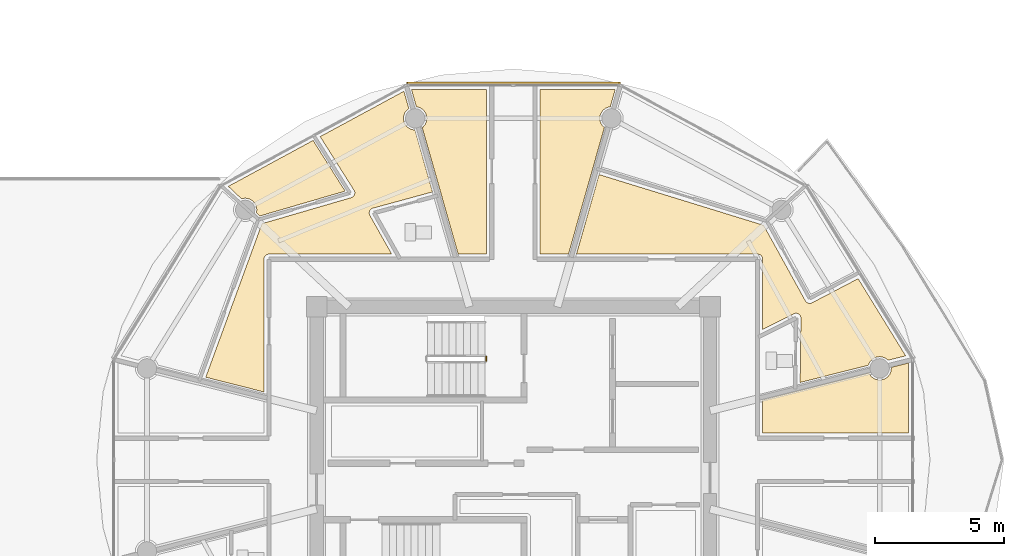
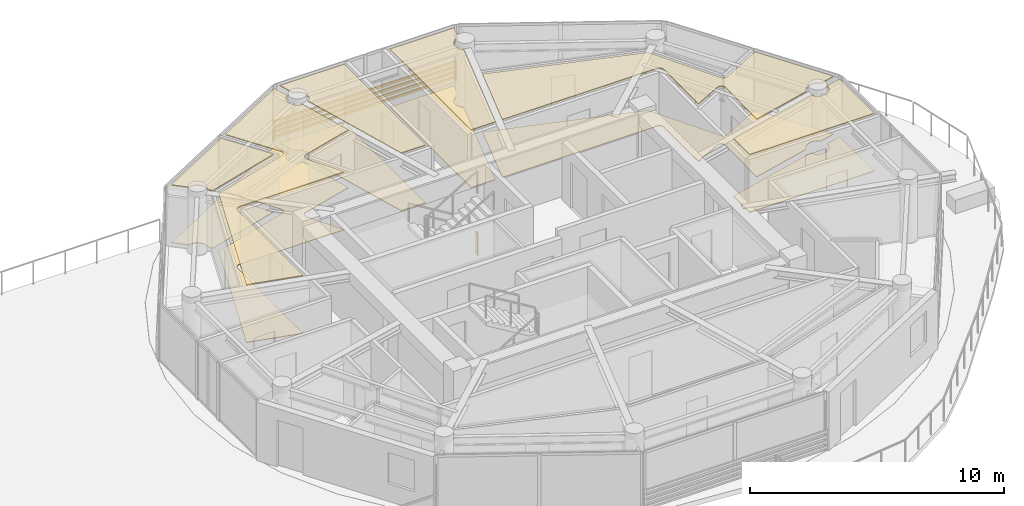
# One storey, part 27 of 30: 12 coverings, 1 railing, 1 shading device.
"""IFC4 building model written with IfcOpenShell, lengths in metres."""

from ifc_helpers import new_model, si_unit, direction, frame, origin, origin_2d, place, context, subcontext, project, spatial, polyline, rectangle, outline, extrude, source, transform, mapped, material, layer, layer_set, type_object, type_shapes, element, save


model = new_model("IFC4")

# Units and contexts
model_context = context("Model", 3, precision=1e-05, world=origin(), true_north=direction((0.0, 1.0)))
body_context = subcontext(model_context, "Body", "Model", "MODEL_VIEW")
ifc_project = project(units=[si_unit("LENGTHUNIT", "METRE"), si_unit("AREAUNIT", "SQUARE_METRE"), si_unit("VOLUMEUNIT", "CUBIC_METRE"), si_unit("PLANEANGLEUNIT", "RADIAN"), si_unit("MASSUNIT", "GRAM", prefix="KILO")], contexts=[model_context])

# Site, building, storey
site_placement = place(None, origin())
site = spatial("IfcSite", under=ifc_project, at=site_placement, CompositionType="ELEMENT")
building_placement = place(site_placement, origin())
building = spatial("IfcBuilding", under=site, at=building_placement, Name="Norrkilde Senior Care Towers", CompositionType="ELEMENT")
storey_placement = place(building_placement, frame((0.0, 0.0, 232.199951171875)))
storey = spatial("IfcBuildingStorey", under=building, at=storey_placement, Name="L72", CompositionType="ELEMENT", Elevation=232.199951171875)

# Coverings
ifc_material_1 = material(Name="Nordic Ash Timber", Category="wood")
ifc_layer_1 = layer(ifc_material_1, 0.044921875)
ifc_layer_set_1 = layer_set([ifc_layer_1], Name="Nordic Ash Timber")
covering_type_1 = type_object("IfcCoveringType", Name="Acoustic Ash Timber Slatted Ceiling 45", PredefinedType="CEILING", material=ifc_layer_set_1)
covering_1_placement = place(storey_placement, frame((0.0, 0.0, 2.76513671875)))
element("IfcCovering", 1, at=covering_1_placement, inside=storey, type_object=covering_type_1, Name="L72 Suspended Ceiling 0448", PredefinedType="CEILING", context=body_context, shape_type="SweptSolid", body=[
    extrude(outline(polyline([(26.9599609375, 14.407470703125), (26.9599609375, 8.0), (25.855224609375, 8.0), (24.458251953125, 12.924560546875), (24.504150390625, 12.959716796875), (24.576416015625, 13.053955078125), (24.621826171875, 13.163818359375), (24.637451171875, 13.281494140625), (24.621826171875, 13.399169921875), (24.576416015625, 13.509033203125), (24.504150390625, 13.603271484375), (24.409912109375, 13.675537109375), (24.30029296875, 13.720947265625), (24.229736328125, 13.730224609375), (24.03759765625, 14.407470703125), (26.9599609375, 14.407470703125)])), origin(), (0.0, 0.0, 1.0), 0.044921875),
])
covering_2_placement = place(storey_placement, frame((0.0, 0.0, 2.76513671875)))
element("IfcCovering", 2, at=covering_2_placement, inside=storey, type_object=covering_type_1, Name="L72 Suspended Ceiling 0449", PredefinedType="CEILING", context=body_context, shape_type="SweptSolid", body=[
    extrude(outline(polyline([(31.96240234375, 14.407470703125), (31.770263671875, 13.730224609375), (31.69970703125, 13.720947265625), (31.590087890625, 13.675537109375), (31.495849609375, 13.603271484375), (31.423583984375, 13.509033203125), (31.378173828125, 13.399169921875), (31.362548828125, 13.281494140625), (31.378173828125, 13.163818359375), (31.423583984375, 13.053955078125), (31.495849609375, 12.959716796875), (31.541748046875, 12.924560546875), (30.144775390625, 8.0), (29.0400390625, 8.0), (29.0400390625, 14.407470703125), (31.96240234375, 14.407470703125)])), origin(), (0.0, 0.0, 1.0), 0.044921875),
])
covering_3_placement = place(storey_placement, frame((0.0, 0.0, 2.76513671875)))
element("IfcCovering", 3, at=covering_3_placement, inside=storey, type_object=covering_type_1, Name="L72 Suspended Ceiling 0451", PredefinedType="CEILING", context=body_context, shape_type="SweptSolid", body=[
    extrude(outline(polyline([(43.37353515625, 1.0400390625), (37.699951171875, 1.0400390625), (37.699951171875, 2.331298828125), (41.834228515625, 3.377685546875), (41.853271484375, 3.331298828125), (41.92578125, 3.237060546875), (42.02001953125, 3.164794921875), (42.129638671875, 3.119384765625), (42.247314453125, 3.103759765625), (42.365234375, 3.119384765625), (42.474853515625, 3.164794921875), (42.569091796875, 3.237060546875), (42.641357421875, 3.331298828125), (42.68701171875, 3.44091796875), (42.702392578125, 3.558837890625), (42.697509765625, 3.59619140625), (43.37353515625, 3.76708984375), (43.37353515625, 1.0400390625)])), origin(), (0.0, 0.0, 1.0), 0.044921875),
])
covering_4_placement = place(storey_placement, frame((0.0, 0.0, 2.76513671875)))
element("IfcCovering", 4, at=covering_4_placement, inside=storey, type_object=covering_type_1, Name="L72 Suspended Ceiling 0452", PredefinedType="CEILING", context=body_context, shape_type="SweptSolid", body=[
    extrude(outline(polyline([(39.180419921875, 5.552978515625), (39.1787109375, 5.5595703125), (39.175537109375, 5.57080078125), (39.17333984375, 5.577392578125), (39.1689453125, 5.588134765625), (39.166259765625, 5.594482421875), (39.160888671875, 5.604736328125), (39.157470703125, 5.610595703125), (39.151123046875, 5.62060546875), (39.14697265625, 5.6259765625), (39.139892578125, 5.63525390625), (39.13525390625, 5.640380859375), (39.127197265625, 5.648681640625), (39.122314453125, 5.653564453125), (39.11328125, 5.6611328125), (39.10791015625, 5.665283203125), (39.098388671875, 5.671875), (39.092529296875, 5.675537109375), (39.082275390625, 5.68115234375), (39.076171875, 5.684326171875), (39.0654296875, 5.68896484375), (39.05908203125, 5.69140625), (39.048095703125, 5.695068359375), (39.04150390625, 5.69677734375), (39.030029296875, 5.69921875), (39.023193359375, 5.700439453125), (39.01171875, 5.701904296875), (39.0048828125, 5.702392578125), (38.9931640625, 5.70263671875), (38.986328125, 5.702392578125), (38.974609375, 5.70166015625), (38.968017578125, 5.70068359375), (38.956298828125, 5.69873046875), (38.94970703125, 5.697265625), (38.9384765625, 5.694091796875), (38.931884765625, 5.69189453125), (38.921142578125, 5.687744140625), (38.914794921875, 5.68505859375), (38.909423828125, 5.6826171875), (37.699951171875, 5.076171875), (37.699951171875, 7.800048828125), (37.699951171875, 7.805908203125), (37.699462890625, 7.813720703125), (37.6982421875, 7.825439453125), (37.697265625, 7.833251953125), (37.69482421875, 7.8447265625), (37.69287109375, 7.852294921875), (37.689453125, 7.86376953125), (37.68701171875, 7.87109375), (37.682373046875, 7.8818359375), (37.678955078125, 7.888916015625), (37.673583984375, 7.8994140625), (37.66943359375, 7.90625), (37.662841796875, 7.916015625), (37.658203125, 7.92236328125), (37.65087890625, 7.931396484375), (37.6455078125, 7.937255859375), (37.63720703125, 7.945556640625), (37.63134765625, 7.95068359375), (37.622314453125, 7.958251953125), (37.615966796875, 7.962890625), (37.606201171875, 7.969482421875), (37.599365234375, 7.973388671875), (37.589111328125, 7.97900390625), (37.58203125, 7.982421875), (37.571044921875, 7.98681640625), (37.563720703125, 7.989501953125), (37.552490234375, 7.992919921875), (37.544677734375, 7.994873046875), (37.533203125, 7.9970703125), (37.525390625, 7.998291015625), (37.513671875, 7.99951171875), (37.505859375, 7.999755859375), (37.5, 8.0), (30.45654296875, 8.0), (31.33447265625, 11.094970703125), (37.73388671875, 9.12353515625), (39.359130859375, 6.182861328125), (39.362060546875, 6.177978515625), (39.36572265625, 6.172119140625), (39.372314453125, 6.16259765625), (39.376220703125, 6.1572265625), (39.3837890625, 6.1484375), (39.388427734375, 6.143310546875), (39.396728515625, 6.13525390625), (39.401611328125, 6.130615234375), (39.41064453125, 6.12353515625), (39.416259765625, 6.119384765625), (39.426025390625, 6.113037109375), (39.431884765625, 6.109619140625), (39.442138671875, 6.104248046875), (39.4482421875, 6.101318359375), (39.458984375, 6.096923828125), (39.46533203125, 6.0947265625), (39.476318359375, 6.09130859375), (39.48291015625, 6.089599609375), (39.494384765625, 6.08740234375), (39.5009765625, 6.08642578125), (39.5126953125, 6.08544921875), (39.51953125, 6.0849609375), (39.531005859375, 6.0849609375), (39.537841796875, 6.085205078125), (39.54931640625, 6.08642578125), (39.55615234375, 6.08740234375), (39.5673828125, 6.089599609375), (39.573974609375, 6.09130859375), (39.585205078125, 6.094482421875), (39.591552734375, 6.0966796875), (39.602294921875, 6.10107421875), (39.6083984375, 6.10400390625), (39.613525390625, 6.1064453125), (41.40966796875, 7.0478515625), (43.25732421875, 4.04736328125), (42.573974609375, 3.874267578125), (42.569091796875, 3.880615234375), (42.474853515625, 3.952880859375), (42.365234375, 3.998291015625), (42.247314453125, 4.013671875), (42.129638671875, 3.998291015625), (42.02001953125, 3.952880859375), (41.92578125, 3.880615234375), (41.853271484375, 3.786376953125), (41.809814453125, 3.680908203125), (39.15478515625, 3.0087890625), (39.1845703125, 5.510498046875), (39.1845703125, 5.516357421875), (39.184326171875, 5.523193359375), (39.183349609375, 5.53466796875), (39.182373046875, 5.54150390625), (39.180419921875, 5.552978515625)])), origin(), (0.0, 0.0, 1.0), 0.044921875),
])
covering_5_placement = place(storey_placement, frame((0.0, 0.0, 2.76513671875)))
element("IfcCovering", 5, at=covering_5_placement, inside=storey, type_object=covering_type_1, Name="L72 Suspended Ceiling 0455", PredefinedType="CEILING", context=body_context, shape_type="SweptSolid", body=[
    extrude(outline(polyline([(22.506591796875, 9.77587890625), (22.496337890625, 9.770751953125), (22.490478515625, 9.767578125), (22.480712890625, 9.761474609375), (22.47509765625, 9.757568359375), (22.466064453125, 9.750732421875), (22.4609375, 9.746337890625), (22.452392578125, 9.73876953125), (22.44775390625, 9.73388671875), (22.440185546875, 9.725341796875), (22.435791015625, 9.72021484375), (22.428955078125, 9.7109375), (22.42529296875, 9.705322265625), (22.41943359375, 9.695556640625), (22.416259765625, 9.689453125), (22.411376953125, 9.67919921875), (22.40869140625, 9.673095703125), (22.40478515625, 9.662353515625), (22.40283203125, 9.65576171875), (22.400146484375, 9.644775390625), (22.398681640625, 9.63818359375), (22.39697265625, 9.626708984375), (22.396240234375, 9.6201171875), (22.3955078125, 9.608642578125), (22.395263671875, 9.60205078125), (22.395751953125, 9.590576171875), (22.396240234375, 9.583984375), (22.39794921875, 9.572509765625), (22.39892578125, 9.56591796875), (22.401611328125, 9.5546875), (22.4033203125, 9.54833984375), (22.406982421875, 9.537353515625), (22.409423828125, 9.53125), (22.4140625, 9.520751953125), (22.417236328125, 9.5146484375), (22.419921875, 9.509521484375), (23.27099609375, 8.0), (18.5, 8.0), (18.494140625, 7.999755859375), (18.486328125, 7.99951171875), (18.474609375, 7.998291015625), (18.466796875, 7.9970703125), (18.455322265625, 7.994873046875), (18.447509765625, 7.992919921875), (18.436279296875, 7.989501953125), (18.428955078125, 7.98681640625), (18.41796875, 7.982421875), (18.410888671875, 7.97900390625), (18.400634765625, 7.973388671875), (18.393798828125, 7.969482421875), (18.384033203125, 7.962890625), (18.377685546875, 7.958251953125), (18.36865234375, 7.95068359375), (18.36279296875, 7.945556640625), (18.3544921875, 7.937255859375), (18.34912109375, 7.931396484375), (18.341796875, 7.92236328125), (18.337158203125, 7.916015625), (18.33056640625, 7.90625), (18.326416015625, 7.8994140625), (18.321044921875, 7.888916015625), (18.317626953125, 7.8818359375), (18.31298828125, 7.87109375), (18.310546875, 7.86376953125), (18.30712890625, 7.852294921875), (18.30517578125, 7.8447265625), (18.302734375, 7.833251953125), (18.3017578125, 7.825439453125), (18.300537109375, 7.813720703125), (18.300048828125, 7.805908203125), (18.300048828125, 7.800048828125), (18.300048828125, 2.640625), (16.038330078125, 3.213134765625), (18.22412109375, 9.185302734375), (21.69775390625, 10.19775390625), (21.703369140625, 10.199462890625), (21.709716796875, 10.201904296875), (21.720703125, 10.2060546875), (21.726806640625, 10.208984375), (21.7373046875, 10.21435546875), (21.7431640625, 10.2177734375), (21.7529296875, 10.22412109375), (21.758544921875, 10.22802734375), (21.767578125, 10.2353515625), (21.772705078125, 10.239990234375), (21.781005859375, 10.248046875), (21.78564453125, 10.2529296875), (21.793212890625, 10.261962890625), (21.79736328125, 10.267333984375), (21.803955078125, 10.27685546875), (21.8076171875, 10.28271484375), (21.813232421875, 10.29296875), (21.81640625, 10.299072265625), (21.821044921875, 10.309814453125), (21.823486328125, 10.316162109375), (21.8271484375, 10.3271484375), (21.828857421875, 10.333740234375), (21.831298828125, 10.34521484375), (21.83251953125, 10.351806640625), (21.833740234375, 10.363525390625), (21.834228515625, 10.370361328125), (21.83447265625, 10.382080078125), (21.83447265625, 10.388916015625), (21.83349609375, 10.400390625), (21.832763671875, 10.4072265625), (21.83056640625, 10.418701171875), (21.8291015625, 10.42529296875), (21.825927734375, 10.4365234375), (21.823974609375, 10.443115234375), (21.819580078125, 10.453857421875), (21.81689453125, 10.460205078125), (21.811767578125, 10.470703125), (21.808349609375, 10.4765625), (21.805419921875, 10.481689453125), (20.48681640625, 12.5712890625), (23.746337890625, 14.335693359375), (23.937255859375, 13.662109375), (23.860595703125, 13.603271484375), (23.788330078125, 13.509033203125), (23.742919921875, 13.399169921875), (23.7275390625, 13.281494140625), (23.742919921875, 13.163818359375), (23.788330078125, 13.053955078125), (23.860595703125, 12.959716796875), (23.954833984375, 12.887451171875), (24.064697265625, 12.842041015625), (24.174072265625, 12.82763671875), (24.857177734375, 10.419189453125), (22.535400390625, 9.7861328125), (22.52978515625, 9.78466796875), (22.5234375, 9.782470703125), (22.5126953125, 9.778564453125), (22.506591796875, 9.77587890625)])), origin(), (0.0, 0.0, 1.0), 0.044921875),
])
covering_6_placement = place(storey_placement, frame((0.0, 0.0, 2.76513671875)))
element("IfcCovering", 6, at=covering_6_placement, inside=storey, type_object=covering_type_1, Name="L72 Suspended Ceiling 0456", PredefinedType="CEILING", context=body_context, shape_type="SweptSolid", body=[
    extrude(outline(polyline([(18.0087890625, 9.6025390625), (18.009765625, 9.60498046875), (18.025146484375, 9.72265625), (18.009765625, 9.840576171875), (17.964111328125, 9.9501953125), (17.891845703125, 10.04443359375), (17.797607421875, 10.11669921875), (17.68798828125, 10.162109375), (17.570068359375, 10.177734375), (17.452392578125, 10.162109375), (17.42724609375, 10.15185546875), (16.91357421875, 10.636962890625), (20.213623046875, 12.42333984375), (21.458251953125, 10.450927734375), (18.135986328125, 9.482421875), (18.0087890625, 9.6025390625)])), origin(), (0.0, 0.0, 1.0), 0.044921875),
])
ifc_material_2 = material(Name="Slip-Resistant Porcelain Stone", Category="masonry")
ifc_layer_2 = layer(ifc_material_2, 0.02490234375)
ifc_layer_set_2 = layer_set([ifc_layer_2], Name="Slip-Resistant Porcelain Stone")
covering_type_2 = type_object("IfcCoveringType", Name="Slip-Resistant Porcelain Flooring 25", PredefinedType="FLOORING", material=ifc_layer_set_2)
covering_7_placement = place(storey_placement, origin())
element("IfcCovering", 7, at=covering_7_placement, inside=storey, type_object=covering_type_2, Name="L72 Floor Finish 0448", PredefinedType="FLOORING", context=body_context, shape_type="SweptSolid", body=[
    extrude(outline(polyline([(26.9599609375, 14.407470703125), (26.9599609375, 8.0), (25.855224609375, 8.0), (24.458251953125, 12.924560546875), (24.504150390625, 12.959716796875), (24.576416015625, 13.053955078125), (24.621826171875, 13.163818359375), (24.637451171875, 13.281494140625), (24.621826171875, 13.399169921875), (24.576416015625, 13.509033203125), (24.504150390625, 13.603271484375), (24.409912109375, 13.675537109375), (24.30029296875, 13.720947265625), (24.229736328125, 13.730224609375), (24.03759765625, 14.407470703125), (26.9599609375, 14.407470703125)])), origin(), (0.0, 0.0, 1.0), 0.025146484375),
])
covering_8_placement = place(storey_placement, origin())
element("IfcCovering", 8, at=covering_8_placement, inside=storey, type_object=covering_type_2, Name="L72 Floor Finish 0449", PredefinedType="FLOORING", context=body_context, shape_type="SweptSolid", body=[
    extrude(outline(polyline([(31.96240234375, 14.407470703125), (31.770263671875, 13.730224609375), (31.69970703125, 13.720947265625), (31.590087890625, 13.675537109375), (31.495849609375, 13.603271484375), (31.423583984375, 13.509033203125), (31.378173828125, 13.399169921875), (31.362548828125, 13.281494140625), (31.378173828125, 13.163818359375), (31.423583984375, 13.053955078125), (31.495849609375, 12.959716796875), (31.541748046875, 12.924560546875), (30.144775390625, 8.0), (29.0400390625, 8.0), (29.0400390625, 14.407470703125), (31.96240234375, 14.407470703125)])), origin(), (0.0, 0.0, 1.0), 0.025146484375),
])
covering_9_placement = place(storey_placement, origin())
element("IfcCovering", 9, at=covering_9_placement, inside=storey, type_object=covering_type_2, Name="L72 Floor Finish 0451", PredefinedType="FLOORING", context=body_context, shape_type="SweptSolid", body=[
    extrude(outline(polyline([(43.37353515625, 1.0400390625), (37.699951171875, 1.0400390625), (37.699951171875, 2.331298828125), (41.834228515625, 3.377685546875), (41.853271484375, 3.331298828125), (41.92578125, 3.237060546875), (42.02001953125, 3.164794921875), (42.129638671875, 3.119384765625), (42.247314453125, 3.103759765625), (42.365234375, 3.119384765625), (42.474853515625, 3.164794921875), (42.569091796875, 3.237060546875), (42.641357421875, 3.331298828125), (42.68701171875, 3.44091796875), (42.702392578125, 3.558837890625), (42.697509765625, 3.59619140625), (43.37353515625, 3.76708984375), (43.37353515625, 1.0400390625)])), origin(), (0.0, 0.0, 1.0), 0.025146484375),
])
covering_10_placement = place(storey_placement, origin())
element("IfcCovering", 10, at=covering_10_placement, inside=storey, type_object=covering_type_2, Name="L72 Floor Finish 0452", PredefinedType="FLOORING", context=body_context, shape_type="SweptSolid", body=[
    extrude(outline(polyline([(39.180419921875, 5.552978515625), (39.1787109375, 5.5595703125), (39.175537109375, 5.57080078125), (39.17333984375, 5.577392578125), (39.1689453125, 5.588134765625), (39.166259765625, 5.594482421875), (39.160888671875, 5.604736328125), (39.157470703125, 5.610595703125), (39.151123046875, 5.62060546875), (39.14697265625, 5.6259765625), (39.139892578125, 5.63525390625), (39.13525390625, 5.640380859375), (39.127197265625, 5.648681640625), (39.122314453125, 5.653564453125), (39.11328125, 5.6611328125), (39.10791015625, 5.665283203125), (39.098388671875, 5.671875), (39.092529296875, 5.675537109375), (39.082275390625, 5.68115234375), (39.076171875, 5.684326171875), (39.0654296875, 5.68896484375), (39.05908203125, 5.69140625), (39.048095703125, 5.695068359375), (39.04150390625, 5.69677734375), (39.030029296875, 5.69921875), (39.023193359375, 5.700439453125), (39.01171875, 5.701904296875), (39.0048828125, 5.702392578125), (38.9931640625, 5.70263671875), (38.986328125, 5.702392578125), (38.974609375, 5.70166015625), (38.968017578125, 5.70068359375), (38.956298828125, 5.69873046875), (38.94970703125, 5.697265625), (38.9384765625, 5.694091796875), (38.931884765625, 5.69189453125), (38.921142578125, 5.687744140625), (38.914794921875, 5.68505859375), (38.909423828125, 5.6826171875), (37.699951171875, 5.076171875), (37.699951171875, 7.800048828125), (37.699951171875, 7.805908203125), (37.699462890625, 7.813720703125), (37.6982421875, 7.825439453125), (37.697265625, 7.833251953125), (37.69482421875, 7.8447265625), (37.69287109375, 7.852294921875), (37.689453125, 7.86376953125), (37.68701171875, 7.87109375), (37.682373046875, 7.8818359375), (37.678955078125, 7.888916015625), (37.673583984375, 7.8994140625), (37.66943359375, 7.90625), (37.662841796875, 7.916015625), (37.658203125, 7.92236328125), (37.65087890625, 7.931396484375), (37.6455078125, 7.937255859375), (37.63720703125, 7.945556640625), (37.63134765625, 7.95068359375), (37.622314453125, 7.958251953125), (37.615966796875, 7.962890625), (37.606201171875, 7.969482421875), (37.599365234375, 7.973388671875), (37.589111328125, 7.97900390625), (37.58203125, 7.982421875), (37.571044921875, 7.98681640625), (37.563720703125, 7.989501953125), (37.552490234375, 7.992919921875), (37.544677734375, 7.994873046875), (37.533203125, 7.9970703125), (37.525390625, 7.998291015625), (37.513671875, 7.99951171875), (37.505859375, 7.999755859375), (37.5, 8.0), (30.45654296875, 8.0), (31.33447265625, 11.094970703125), (37.73388671875, 9.12353515625), (39.359130859375, 6.182861328125), (39.362060546875, 6.177978515625), (39.36572265625, 6.172119140625), (39.372314453125, 6.16259765625), (39.376220703125, 6.1572265625), (39.3837890625, 6.1484375), (39.388427734375, 6.143310546875), (39.396728515625, 6.13525390625), (39.401611328125, 6.130615234375), (39.41064453125, 6.12353515625), (39.416259765625, 6.119384765625), (39.426025390625, 6.113037109375), (39.431884765625, 6.109619140625), (39.442138671875, 6.104248046875), (39.4482421875, 6.101318359375), (39.458984375, 6.096923828125), (39.46533203125, 6.0947265625), (39.476318359375, 6.09130859375), (39.48291015625, 6.089599609375), (39.494384765625, 6.08740234375), (39.5009765625, 6.08642578125), (39.5126953125, 6.08544921875), (39.51953125, 6.0849609375), (39.531005859375, 6.0849609375), (39.537841796875, 6.085205078125), (39.54931640625, 6.08642578125), (39.55615234375, 6.08740234375), (39.5673828125, 6.089599609375), (39.573974609375, 6.09130859375), (39.585205078125, 6.094482421875), (39.591552734375, 6.0966796875), (39.602294921875, 6.10107421875), (39.6083984375, 6.10400390625), (39.613525390625, 6.1064453125), (41.40966796875, 7.0478515625), (43.25732421875, 4.04736328125), (42.573974609375, 3.874267578125), (42.569091796875, 3.880615234375), (42.474853515625, 3.952880859375), (42.365234375, 3.998291015625), (42.247314453125, 4.013671875), (42.129638671875, 3.998291015625), (42.02001953125, 3.952880859375), (41.92578125, 3.880615234375), (41.853271484375, 3.786376953125), (41.809814453125, 3.680908203125), (39.15478515625, 3.0087890625), (39.1845703125, 5.510498046875), (39.1845703125, 5.516357421875), (39.184326171875, 5.523193359375), (39.183349609375, 5.53466796875), (39.182373046875, 5.54150390625), (39.180419921875, 5.552978515625)])), origin(), (0.0, 0.0, 1.0), 0.025146484375),
])
covering_11_placement = place(storey_placement, origin())
element("IfcCovering", 11, at=covering_11_placement, inside=storey, type_object=covering_type_2, Name="L72 Floor Finish 0455", PredefinedType="FLOORING", context=body_context, shape_type="SweptSolid", body=[
    extrude(outline(polyline([(22.506591796875, 9.77587890625), (22.496337890625, 9.770751953125), (22.490478515625, 9.767578125), (22.480712890625, 9.761474609375), (22.47509765625, 9.757568359375), (22.466064453125, 9.750732421875), (22.4609375, 9.746337890625), (22.452392578125, 9.73876953125), (22.44775390625, 9.73388671875), (22.440185546875, 9.725341796875), (22.435791015625, 9.72021484375), (22.428955078125, 9.7109375), (22.42529296875, 9.705322265625), (22.41943359375, 9.695556640625), (22.416259765625, 9.689453125), (22.411376953125, 9.67919921875), (22.40869140625, 9.673095703125), (22.40478515625, 9.662353515625), (22.40283203125, 9.65576171875), (22.400146484375, 9.644775390625), (22.398681640625, 9.63818359375), (22.39697265625, 9.626708984375), (22.396240234375, 9.6201171875), (22.3955078125, 9.608642578125), (22.395263671875, 9.60205078125), (22.395751953125, 9.590576171875), (22.396240234375, 9.583984375), (22.39794921875, 9.572509765625), (22.39892578125, 9.56591796875), (22.401611328125, 9.5546875), (22.4033203125, 9.54833984375), (22.406982421875, 9.537353515625), (22.409423828125, 9.53125), (22.4140625, 9.520751953125), (22.417236328125, 9.5146484375), (22.419921875, 9.509521484375), (23.27099609375, 8.0), (18.5, 8.0), (18.494140625, 7.999755859375), (18.486328125, 7.99951171875), (18.474609375, 7.998291015625), (18.466796875, 7.9970703125), (18.455322265625, 7.994873046875), (18.447509765625, 7.992919921875), (18.436279296875, 7.989501953125), (18.428955078125, 7.98681640625), (18.41796875, 7.982421875), (18.410888671875, 7.97900390625), (18.400634765625, 7.973388671875), (18.393798828125, 7.969482421875), (18.384033203125, 7.962890625), (18.377685546875, 7.958251953125), (18.36865234375, 7.95068359375), (18.36279296875, 7.945556640625), (18.3544921875, 7.937255859375), (18.34912109375, 7.931396484375), (18.341796875, 7.92236328125), (18.337158203125, 7.916015625), (18.33056640625, 7.90625), (18.326416015625, 7.8994140625), (18.321044921875, 7.888916015625), (18.317626953125, 7.8818359375), (18.31298828125, 7.87109375), (18.310546875, 7.86376953125), (18.30712890625, 7.852294921875), (18.30517578125, 7.8447265625), (18.302734375, 7.833251953125), (18.3017578125, 7.825439453125), (18.300537109375, 7.813720703125), (18.300048828125, 7.805908203125), (18.300048828125, 7.800048828125), (18.300048828125, 2.640625), (16.038330078125, 3.213134765625), (18.22412109375, 9.185302734375), (21.69775390625, 10.19775390625), (21.703369140625, 10.199462890625), (21.709716796875, 10.201904296875), (21.720703125, 10.2060546875), (21.726806640625, 10.208984375), (21.7373046875, 10.21435546875), (21.7431640625, 10.2177734375), (21.7529296875, 10.22412109375), (21.758544921875, 10.22802734375), (21.767578125, 10.2353515625), (21.772705078125, 10.239990234375), (21.781005859375, 10.248046875), (21.78564453125, 10.2529296875), (21.793212890625, 10.261962890625), (21.79736328125, 10.267333984375), (21.803955078125, 10.27685546875), (21.8076171875, 10.28271484375), (21.813232421875, 10.29296875), (21.81640625, 10.299072265625), (21.821044921875, 10.309814453125), (21.823486328125, 10.316162109375), (21.8271484375, 10.3271484375), (21.828857421875, 10.333740234375), (21.831298828125, 10.34521484375), (21.83251953125, 10.351806640625), (21.833740234375, 10.363525390625), (21.834228515625, 10.370361328125), (21.83447265625, 10.382080078125), (21.83447265625, 10.388916015625), (21.83349609375, 10.400390625), (21.832763671875, 10.4072265625), (21.83056640625, 10.418701171875), (21.8291015625, 10.42529296875), (21.825927734375, 10.4365234375), (21.823974609375, 10.443115234375), (21.819580078125, 10.453857421875), (21.81689453125, 10.460205078125), (21.811767578125, 10.470703125), (21.808349609375, 10.4765625), (21.805419921875, 10.481689453125), (20.48681640625, 12.5712890625), (23.746337890625, 14.335693359375), (23.937255859375, 13.662109375), (23.860595703125, 13.603271484375), (23.788330078125, 13.509033203125), (23.742919921875, 13.399169921875), (23.7275390625, 13.281494140625), (23.742919921875, 13.163818359375), (23.788330078125, 13.053955078125), (23.860595703125, 12.959716796875), (23.954833984375, 12.887451171875), (24.064697265625, 12.842041015625), (24.174072265625, 12.82763671875), (24.857177734375, 10.419189453125), (22.535400390625, 9.7861328125), (22.52978515625, 9.78466796875), (22.5234375, 9.782470703125), (22.5126953125, 9.778564453125), (22.506591796875, 9.77587890625)])), origin(), (0.0, 0.0, 1.0), 0.025146484375),
])
covering_12_placement = place(storey_placement, origin())
element("IfcCovering", 12, at=covering_12_placement, inside=storey, type_object=covering_type_2, Name="L72 Floor Finish 0456", PredefinedType="FLOORING", context=body_context, shape_type="SweptSolid", body=[
    extrude(outline(polyline([(18.0087890625, 9.6025390625), (18.009765625, 9.60498046875), (18.025146484375, 9.72265625), (18.009765625, 9.840576171875), (17.964111328125, 9.9501953125), (17.891845703125, 10.04443359375), (17.797607421875, 10.11669921875), (17.68798828125, 10.162109375), (17.570068359375, 10.177734375), (17.452392578125, 10.162109375), (17.42724609375, 10.15185546875), (16.91357421875, 10.636962890625), (20.213623046875, 12.42333984375), (21.458251953125, 10.450927734375), (18.135986328125, 9.482421875), (18.0087890625, 9.6025390625)])), origin(), (0.0, 0.0, 1.0), 0.025146484375),
])

# Railing
ifc_material_3 = material(Name="Stainless Steel", Category="steel")
railing_type = type_object("IfcRailingType", Name="Stair and Terrace Guardrail 1100", PredefinedType="GUARDRAIL", material=ifc_material_3)
railing_placement = place(storey_placement, frame((26.949951171875, 4.0, 0.0)))
element("IfcRailing", 13, at=railing_placement, inside=storey, type_object=railing_type, Name="L72 ST-E1 stair guard 4", PredefinedType="GUARDRAIL", context=body_context, shape_type="SweptSolid", body=[
    extrude(rectangle(XDim=0.048095703125, YDim=0.048095703125, at=origin_2d()), frame((0.0, 0.0, 1.076171875), z_axis=(0.0, -1.0, 0.0), x_axis=(1.0, 0.0, 0.0)), (0.0, 0.0, 1.0), 0.14990234375),
    extrude(rectangle(XDim=0.0419921875, YDim=0.0419921875, at=origin_2d()), origin(), (0.0, 0.0, 1.0), 1.050048828125),
    extrude(rectangle(XDim=0.0419921875, YDim=0.0419921875, at=origin_2d()), frame((0.0, -0.14990234375, 0.0)), (0.0, 0.0, 1.0), 1.050048828125),
])

# Shading device
ifc_material_4 = material(Name="Architectural Terracotta", Category="masonry")
shading_device_type = type_object("IfcShadingDeviceType", Name="Horizontal Terracotta Baguette Rack", PredefinedType="USERDEFINED", material=ifc_material_4)
shared_shape = source(origin(), body_context, "Body", "SweptSolid", [
    extrude(rectangle(XDim=0.070068359375, YDim=0.110107421875, at=origin_2d()), frame((0.0, 0.090087890625, 0.125), z_axis=(1.0, 0.0, 0.0), x_axis=(0.0, 1.0, 0.0)), (0.0, 0.0, 1.0), 8.32373046875),
    extrude(rectangle(XDim=0.070068359375, YDim=0.110107421875, at=origin_2d()), frame((0.0, 0.090087890625, 0.375), z_axis=(1.0, 0.0, 0.0), x_axis=(0.0, 1.0, 0.0)), (0.0, 0.0, 1.0), 8.32373046875),
    extrude(rectangle(XDim=0.070068359375, YDim=0.110107421875, at=origin_2d()), frame((0.0, 0.090087890625, 0.625), z_axis=(1.0, 0.0, 0.0), x_axis=(0.0, 1.0, 0.0)), (0.0, 0.0, 1.0), 8.32373046875),
    extrude(rectangle(XDim=0.070068359375, YDim=0.110107421875, at=origin_2d()), frame((0.0, 0.090087890625, 0.875), z_axis=(1.0, 0.0, 0.0), x_axis=(0.0, 1.0, 0.0)), (0.0, 0.0, 1.0), 8.32373046875),
    extrude(rectangle(XDim=0.050048828125, YDim=0.1552734375, at=origin_2d()), frame((0.02490234375, 0.047607421875, 0.0)), (0.0, 0.0, 1.0), 1.0),
    extrude(rectangle(XDim=0.050048828125, YDim=0.1552734375, at=origin_2d()), frame((8.298828125, 0.047607421875, 0.0)), (0.0, 0.0, 1.0), 1.0),
])
type_shapes(shading_device_type, [shared_shape])
shading_device_placement = place(storey_placement, frame((23.838134765625, 14.566162109375, 0.080078125), z_axis=(0.0, 0.0, 1.0), x_axis=(1.0, 0.0, 0.0)))
element("IfcShadingDevice", 14, at=shading_device_placement, inside=storey, type_object=shading_device_type, Name="L72 Drum E Terracotta Baguette Screen 02", ObjectType="BAGUETTE", PredefinedType="USERDEFINED", context=body_context, shape_type="MappedRepresentation", body=[
    mapped(shared_shape, transform((0.0, 0.0, 0.0), x_axis=(1.0, 0.0, 0.0), y_axis=(0.0, 1.0, 0.0), z_axis=(0.0, 0.0, 1.0), scale=1.0)),
])

save(model, "model.ifc")
